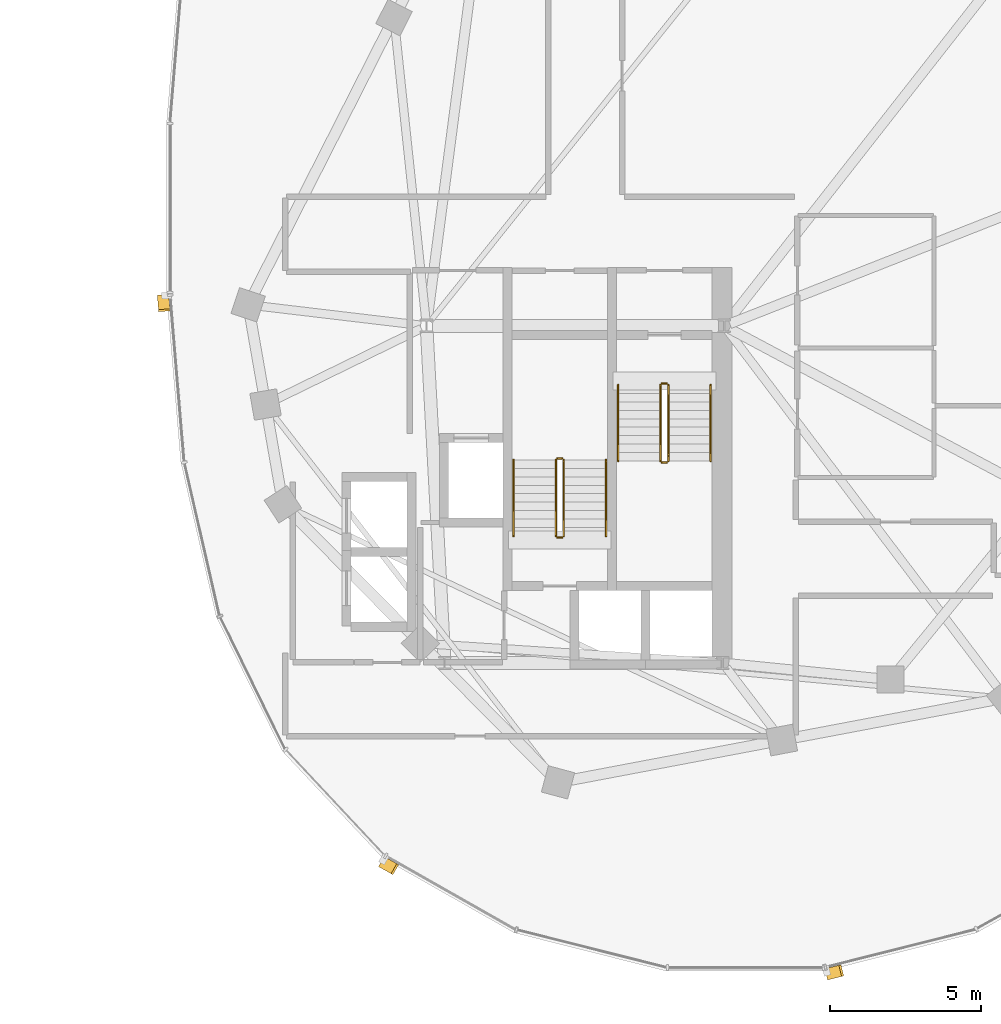
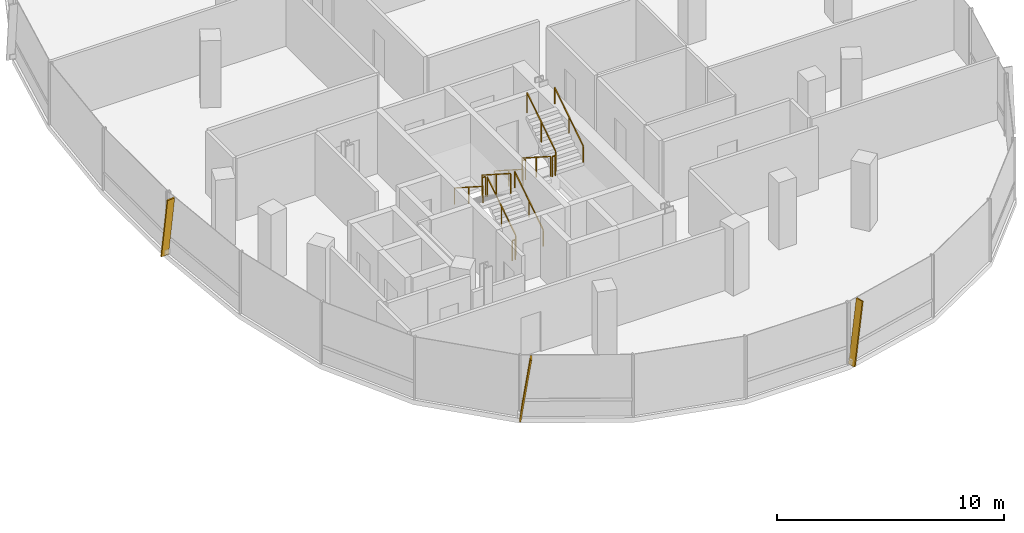
# One storey, part 24 of 25: 12 railings, 3 shading devices.
"""IFC4 building model written with IfcOpenShell, lengths in metres."""

from ifc_helpers import new_model, si_unit, direction, frame, origin, origin_2d, place, context, subcontext, project, spatial, rectangle, extrude, material, material_profile, profile_set, type_object, element, save


model = new_model("IFC4")

# Units and contexts
model_context = context("Model", 3, precision=1e-05, world=origin(), true_north=direction((0.0, 1.0)))
body_context = subcontext(model_context, "Body", "Model", "MODEL_VIEW")
ifc_project = project(units=[si_unit("LENGTHUNIT", "METRE"), si_unit("AREAUNIT", "SQUARE_METRE"), si_unit("VOLUMEUNIT", "CUBIC_METRE"), si_unit("PLANEANGLEUNIT", "RADIAN"), si_unit("MASSUNIT", "GRAM", prefix="KILO"), si_unit("THERMODYNAMICTEMPERATUREUNIT", "KELVIN"), si_unit("POWERUNIT", "WATT")], contexts=[model_context])

# Site, building, storey
site_placement = place(None, origin())
site = spatial("IfcSite", under=ifc_project, at=site_placement, CompositionType="ELEMENT")
building_placement = place(site_placement, origin())
building = spatial("IfcBuilding", under=site, at=building_placement, Name="Cundina Bronze Exchange", CompositionType="ELEMENT")
storey_placement = place(building_placement, frame((0.0, 0.0, 202.60009765625)))
storey = spatial("IfcBuildingStorey", under=building, at=storey_placement, Name="L53", CompositionType="ELEMENT", Elevation=202.60009765625)

# Railings
ifc_material_1 = material(Name="Steel ASTM A36 Painted", Category="steel")
railing_type_1 = type_object("IfcRailingType", Name="RLG-HND-900", PredefinedType="HANDRAIL", material=ifc_material_1)
railing_1_placement = place(storey_placement, frame((27.7900390625, -5.85009765625, 0.179931640625)))
element("IfcRailing", 1, at=railing_1_placement, inside=storey, type_object=railing_type_1, Name="L53 ST-E1 stair handrail 1", PredefinedType="HANDRAIL", context=body_context, shape_type="SweptSolid", body=[
    extrude(rectangle(XDim=0.048095703125, YDim=0.048095703125, at=origin_2d()), frame((0.0, 0.0, 0.8759765625), z_axis=(0.0, -0.841199657755, 0.540724639528), x_axis=(1.0, 0.0, 0.0)), (0.0, 0.0, 1.0), 2.995849609375),
    extrude(rectangle(XDim=0.0419921875, YDim=0.0419921875, at=origin_2d()), origin(), (0.0, 0.0, 1.0), 0.851806640625),
    extrude(rectangle(XDim=0.0419921875, YDim=0.0419921875, at=origin_2d()), frame((0.0, -1.260009765625, 0.81005859375)), (0.0, 0.0, 1.0), 0.851806640625),
    extrude(rectangle(XDim=0.0419921875, YDim=0.0419921875, at=origin_2d()), frame((0.0, -2.52001953125, 1.619873046875)), (0.0, 0.0, 1.0), 0.851806640625),
])
for number, where, name in (
    (2, (30.85009765625, -8.3701171875, 1.97998046875), "L53 ST-E1 stair handrail 2"),
    (3, (27.389892578125, -10.85009765625, 0.179931640625), "L53 ST-E2 stair handrail 1"),
):
    element("IfcRailing", number, at=place(storey_placement, frame(where)), inside=storey, type_object=railing_type_1, Name=name, PredefinedType="HANDRAIL", context=body_context, shape_type="SweptSolid", body=[
        extrude(rectangle(XDim=0.048095703125, YDim=0.048095703125, at=origin_2d()), frame((0.0, 0.0, 0.8759765625), z_axis=(0.0, 0.841199657755, 0.540724639528), x_axis=(-1.0, 0.0, 0.0)), (0.0, 0.0, 1.0), 2.995849609375),
        extrude(rectangle(XDim=0.0419921875, YDim=0.0419921875, at=origin_2d()), origin(), (0.0, 0.0, 1.0), 0.851806640625),
        extrude(rectangle(XDim=0.0419921875, YDim=0.0419921875, at=origin_2d()), frame((0.0, 1.260009765625, 0.81005859375)), (0.0, 0.0, 1.0), 0.851806640625),
        extrude(rectangle(XDim=0.0419921875, YDim=0.0419921875, at=origin_2d()), frame((0.0, 2.52001953125, 1.619873046875)), (0.0, 0.0, 1.0), 0.851806640625),
    ])
railing_2_placement = place(storey_placement, frame((24.330078125, -8.330078125, 1.97998046875)))
element("IfcRailing", 4, at=railing_2_placement, inside=storey, type_object=railing_type_1, Name="L53 ST-E2 stair handrail 2", PredefinedType="HANDRAIL", context=body_context, shape_type="SweptSolid", body=[
    extrude(rectangle(XDim=0.048095703125, YDim=0.048095703125, at=origin_2d()), frame((0.0, 0.0, 0.8759765625), z_axis=(0.0, -0.841199657755, 0.540724639528), x_axis=(1.0, 0.0, 0.0)), (0.0, 0.0, 1.0), 2.995849609375),
    extrude(rectangle(XDim=0.0419921875, YDim=0.0419921875, at=origin_2d()), origin(), (0.0, 0.0, 1.0), 0.851806640625),
    extrude(rectangle(XDim=0.0419921875, YDim=0.0419921875, at=origin_2d()), frame((0.0, -1.260009765625, 0.81005859375)), (0.0, 0.0, 1.0), 0.851806640625),
    extrude(rectangle(XDim=0.0419921875, YDim=0.0419921875, at=origin_2d()), frame((0.0, -2.52001953125, 1.619873046875)), (0.0, 0.0, 1.0), 0.851806640625),
])
railing_type_2 = type_object("IfcRailingType", Name="RLG-STG-1100", PredefinedType="GUARDRAIL", material=ifc_material_1)
railing_3_placement = place(storey_placement, frame((29.18994140625, -5.85009765625, 0.179931640625)))
element("IfcRailing", 5, at=railing_3_placement, inside=storey, type_object=railing_type_2, Name="L53 ST-E1 stair guard 1", PredefinedType="GUARDRAIL", context=body_context, shape_type="SweptSolid", body=[
    extrude(rectangle(XDim=0.048095703125, YDim=0.048095703125, at=origin_2d()), frame((0.0, 0.0, 1.076171875), z_axis=(0.0, -0.841199657755, 0.540724639528), x_axis=(1.0, 0.0, 0.0)), (0.0, 0.0, 1.0), 2.995849609375),
    extrude(rectangle(XDim=0.0419921875, YDim=0.0419921875, at=origin_2d()), origin(), (0.0, 0.0, 1.0), 1.052001953125),
    extrude(rectangle(XDim=0.0419921875, YDim=0.0419921875, at=origin_2d()), frame((0.0, -1.260009765625, 0.81005859375)), (0.0, 0.0, 1.0), 1.052001953125),
    extrude(rectangle(XDim=0.0419921875, YDim=0.0419921875, at=origin_2d()), frame((0.0, -2.52001953125, 1.619873046875)), (0.0, 0.0, 1.0), 1.052001953125),
])
railing_4_placement = place(storey_placement, frame((29.239990234375, -8.419921875, 1.7998046875)))
element("IfcRailing", 6, at=railing_4_placement, inside=storey, type_object=railing_type_2, Name="L53 ST-E1 stair guard 2", PredefinedType="GUARDRAIL", context=body_context, shape_type="SweptSolid", body=[
    extrude(rectangle(XDim=0.048095703125, YDim=0.048095703125, at=origin_2d()), frame((0.0, 0.0, 1.076171875), z_axis=(1.0, 0.0, 0.0), x_axis=(0.0, 1.0, 0.0)), (0.0, 0.0, 1.0), 0.159912109375),
    extrude(rectangle(XDim=0.0419921875, YDim=0.0419921875, at=origin_2d()), origin(), (0.0, 0.0, 1.0), 1.052001953125),
    extrude(rectangle(XDim=0.0419921875, YDim=0.0419921875, at=origin_2d()), frame((0.159912109375, 0.0, 0.0)), (0.0, 0.0, 1.0), 1.052001953125),
])
railing_5_placement = place(storey_placement, frame((29.449951171875, -8.3701171875, 1.97998046875)))
element("IfcRailing", 7, at=railing_5_placement, inside=storey, type_object=railing_type_2, Name="L53 ST-E1 stair guard 3", PredefinedType="GUARDRAIL", context=body_context, shape_type="SweptSolid", body=[
    extrude(rectangle(XDim=0.048095703125, YDim=0.048095703125, at=origin_2d()), frame((0.0, 0.0, 1.076171875), z_axis=(0.0, 0.841199657755, 0.540724639528), x_axis=(-1.0, 0.0, 0.0)), (0.0, 0.0, 1.0), 2.995849609375),
    extrude(rectangle(XDim=0.0419921875, YDim=0.0419921875, at=origin_2d()), origin(), (0.0, 0.0, 1.0), 1.052001953125),
    extrude(rectangle(XDim=0.0419921875, YDim=0.0419921875, at=origin_2d()), frame((0.0, 1.260009765625, 0.81005859375)), (0.0, 0.0, 1.0), 1.052001953125),
    extrude(rectangle(XDim=0.0419921875, YDim=0.0419921875, at=origin_2d()), frame((0.0, 2.52001953125, 1.619873046875)), (0.0, 0.0, 1.0), 1.052001953125),
])
railing_6_placement = place(storey_placement, frame((29.239990234375, -5.800048828125, 0.0)))
element("IfcRailing", 8, at=railing_6_placement, inside=storey, type_object=railing_type_2, Name="L53 ST-E1 stair guard 4", PredefinedType="GUARDRAIL", context=body_context, shape_type="SweptSolid", body=[
    extrude(rectangle(XDim=0.048095703125, YDim=0.048095703125, at=origin_2d()), frame((0.0, 0.0, 1.076171875), z_axis=(1.0, 0.0, 0.0), x_axis=(0.0, 1.0, 0.0)), (0.0, 0.0, 1.0), 0.159912109375),
    extrude(rectangle(XDim=0.0419921875, YDim=0.0419921875, at=origin_2d()), origin(), (0.0, 0.0, 1.0), 1.052001953125),
    extrude(rectangle(XDim=0.0419921875, YDim=0.0419921875, at=origin_2d()), frame((0.159912109375, 0.0, 0.0)), (0.0, 0.0, 1.0), 1.052001953125),
])
railing_7_placement = place(storey_placement, frame((25.989990234375, -10.85009765625, 0.179931640625)))
element("IfcRailing", 9, at=railing_7_placement, inside=storey, type_object=railing_type_2, Name="L53 ST-E2 stair guard 1", PredefinedType="GUARDRAIL", context=body_context, shape_type="SweptSolid", body=[
    extrude(rectangle(XDim=0.048095703125, YDim=0.048095703125, at=origin_2d()), frame((0.0, 0.0, 1.076171875), z_axis=(0.0, 0.841199657755, 0.540724639528), x_axis=(-1.0, 0.0, 0.0)), (0.0, 0.0, 1.0), 2.995849609375),
    extrude(rectangle(XDim=0.0419921875, YDim=0.0419921875, at=origin_2d()), origin(), (0.0, 0.0, 1.0), 1.052001953125),
    extrude(rectangle(XDim=0.0419921875, YDim=0.0419921875, at=origin_2d()), frame((0.0, 1.260009765625, 0.81005859375)), (0.0, 0.0, 1.0), 1.052001953125),
    extrude(rectangle(XDim=0.0419921875, YDim=0.0419921875, at=origin_2d()), frame((0.0, 2.52001953125, 1.619873046875)), (0.0, 0.0, 1.0), 1.052001953125),
])
railing_8_placement = place(storey_placement, frame((25.93994140625, -8.280029296875, 1.7998046875)))
element("IfcRailing", 10, at=railing_8_placement, inside=storey, type_object=railing_type_2, Name="L53 ST-E2 stair guard 2", PredefinedType="GUARDRAIL", context=body_context, shape_type="SweptSolid", body=[
    extrude(rectangle(XDim=0.048095703125, YDim=0.048095703125, at=origin_2d()), frame((0.0, 0.0, 1.076171875), z_axis=(-1.0, 0.0, 0.0), x_axis=(0.0, -1.0, 0.0)), (0.0, 0.0, 1.0), 0.159912109375),
    extrude(rectangle(XDim=0.0419921875, YDim=0.0419921875, at=origin_2d()), origin(), (0.0, 0.0, 1.0), 1.052001953125),
    extrude(rectangle(XDim=0.0419921875, YDim=0.0419921875, at=origin_2d()), frame((-0.159912109375, 0.0, 0.0)), (0.0, 0.0, 1.0), 1.052001953125),
])
railing_9_placement = place(storey_placement, frame((25.72998046875, -8.330078125, 1.97998046875)))
element("IfcRailing", 11, at=railing_9_placement, inside=storey, type_object=railing_type_2, Name="L53 ST-E2 stair guard 3", PredefinedType="GUARDRAIL", context=body_context, shape_type="SweptSolid", body=[
    extrude(rectangle(XDim=0.048095703125, YDim=0.048095703125, at=origin_2d()), frame((0.0, 0.0, 1.076171875), z_axis=(0.0, -0.841199657755, 0.540724639528), x_axis=(1.0, 0.0, 0.0)), (0.0, 0.0, 1.0), 2.995849609375),
    extrude(rectangle(XDim=0.0419921875, YDim=0.0419921875, at=origin_2d()), origin(), (0.0, 0.0, 1.0), 1.052001953125),
    extrude(rectangle(XDim=0.0419921875, YDim=0.0419921875, at=origin_2d()), frame((0.0, -1.260009765625, 0.81005859375)), (0.0, 0.0, 1.0), 1.052001953125),
    extrude(rectangle(XDim=0.0419921875, YDim=0.0419921875, at=origin_2d()), frame((0.0, -2.52001953125, 1.619873046875)), (0.0, 0.0, 1.0), 1.052001953125),
])
railing_10_placement = place(storey_placement, frame((25.93994140625, -10.89990234375, 0.0)))
element("IfcRailing", 12, at=railing_10_placement, inside=storey, type_object=railing_type_2, Name="L53 ST-E2 stair guard 4", PredefinedType="GUARDRAIL", context=body_context, shape_type="SweptSolid", body=[
    extrude(rectangle(XDim=0.048095703125, YDim=0.048095703125, at=origin_2d()), frame((0.0, 0.0, 1.076171875), z_axis=(-1.0, 0.0, 0.0), x_axis=(0.0, -1.0, 0.0)), (0.0, 0.0, 1.0), 0.159912109375),
    extrude(rectangle(XDim=0.0419921875, YDim=0.0419921875, at=origin_2d()), origin(), (0.0, 0.0, 1.0), 1.052001953125),
    extrude(rectangle(XDim=0.0419921875, YDim=0.0419921875, at=origin_2d()), frame((-0.159912109375, 0.0, 0.0)), (0.0, 0.0, 1.0), 1.052001953125),
])

# Shading devices
ifc_material_2 = material(Name="Anodised Bronze Aluminium 6063-T6", Category="aluminium")
ifc_material_profile = material_profile(ifc_material_2, rectangle(XDim=0.070068359375, YDim=0.3798828125, at=origin_2d()), Name="FIN70X380", Category="aluminium")
ifc_profile_set = profile_set([ifc_material_profile], Name="Anodised Bronze Aluminium 6063-T6")
shading_device_type = type_object("IfcShadingDeviceType", Name="SHD-FIN-BRZ380", PredefinedType="USERDEFINED", material=ifc_profile_set)
for number, where, z_axis, x_axis, name in (
    (13, (12.735595703125, -2.90283203125, 0.02001953125), (0.012007425696, -0.143430164259, 0.989587595774), (-0.082555708425, 0.986138004904, 0.143931894628), "L53 Diagonal Bronze Solar Fin 1"),
    (14, (19.984375, -21.635498046875, 0.02001953125), (0.125198584402, -0.071092295587, 0.989581325598), (-0.86052566695, 0.48863767404, 0.143974997927), "L53 Diagonal Bronze Solar Fin 5"),
    (15, (34.705810546875, -25.344482421875, 0.02001953125), (0.139622006633, 0.035143452115, 0.989581039146), (-0.959648570899, -0.241547621411, 0.143976966779), "L53 Diagonal Bronze Solar Fin 1"),
):
    element("IfcShadingDevice", number, at=place(storey_placement, frame(where, z_axis=z_axis, x_axis=x_axis)), inside=storey, type_object=shading_device_type, Name=name, ObjectType="FIN", PredefinedType="USERDEFINED", context=body_context, shape_type="SweptSolid", body=[
        extrude(rectangle(XDim=0.070068359375, YDim=0.3798828125, at=origin_2d()), origin(), (0.0, 0.0, 1.0), 3.33447265625),
    ])

save(model, "model.ifc")
